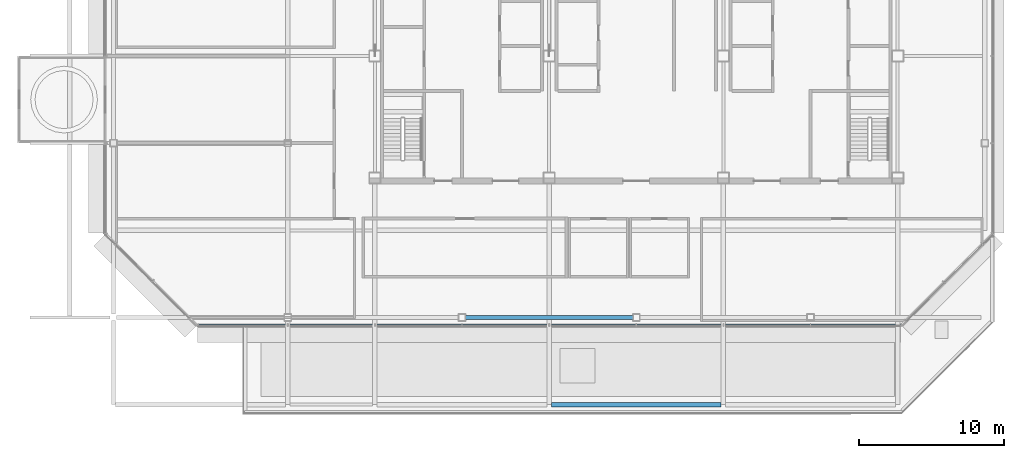
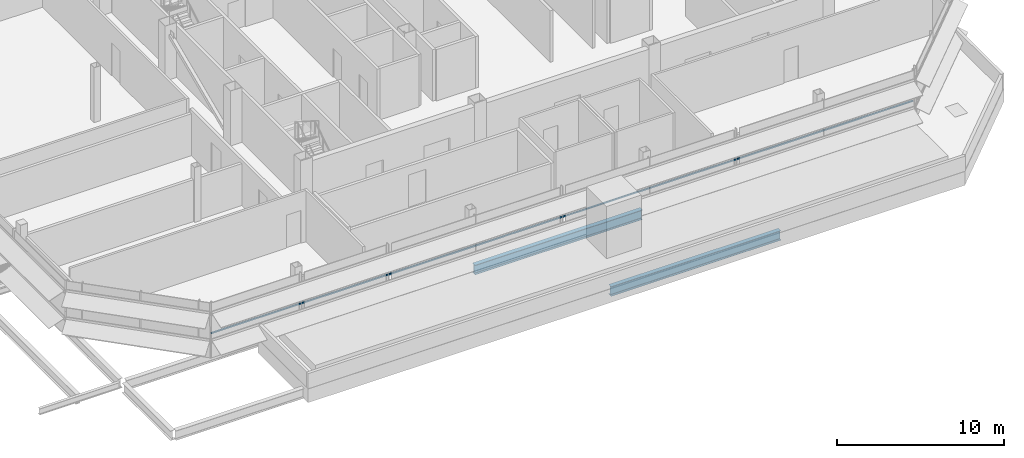
# One storey, part 7 of 26: 2 beams, 1 member, 1 element without a shape of its own.
"""IFC4 building model written with IfcOpenShell, lengths in metres."""

import ifcopenshell
import ifcopenshell.guid

model = None  # the IFC model being written
_history = None  # IfcOwnerHistory: only IFC2X3 demands one
_inside = {}  # id of a spatial element -> (the spatial element, [elements in it])
_under = {}  # id of a project, library or spatial element -> (it, [spatial elements below it])
_declared = {}  # id of a project -> (the project, [libraries it declares])
_typed = {}  # id of a type object -> (the type object, [elements of that type])
_made_of = {}  # id of a material, layer set ... -> (it, [elements and type objects made of it])


def new_model(schema):
    """Start an empty IFC model of exactly this schema.

    Asked for "IFC4X3", IfcOpenShell would pick the latest addendum, in which some entities
    have other attributes; the version numbers below select the first issue.
    IFC2X3 requires an IfcOwnerHistory on every rooted entity: one is made here for all.
    """
    global model, _history
    if schema == "IFC4X3":
        model = ifcopenshell.file(schema_version=(4, 3, 0, 0))
    else:
        model = ifcopenshell.file(schema=schema)
    _inside.clear()
    _under.clear()
    _declared.clear()
    _typed.clear()
    _made_of.clear()
    _history = None
    if model.schema == "IFC2X3":
        org = make("IfcOrganization", Name="unknown")
        user = make(
            "IfcPersonAndOrganization",
            ThePerson=make("IfcPerson", FamilyName="unknown"),
            TheOrganization=org,
        )
        app = make(
            "IfcApplication",
            ApplicationDeveloper=org,
            Version="unknown",
            ApplicationFullName="unknown",
            ApplicationIdentifier="unknown",
        )
        _history = make(
            "IfcOwnerHistory",
            OwningUser=user,
            OwningApplication=app,
            ChangeAction="ADDED",
            CreationDate=0,
        )
    return model


def make(cls, **values):
    """One entity of the class cls with the attributes given. An attribute that is None is left unset."""
    return model.create_entity(
        cls, **{name: value for name, value in values.items() if value is not None}
    )


def rooted(cls, **values):
    """An entity with a GlobalId (a new one), such as an element, a storey or a relation."""
    return make(cls, GlobalId=ifcopenshell.guid.new(), OwnerHistory=_history, **values)


def si_unit(unit_type, name, prefix=None):
    """IfcSIUnit, for example si_unit("LENGTHUNIT", "METRE", prefix="MILLI")."""
    return make("IfcSIUnit", UnitType=unit_type, Prefix=prefix, Name=name)


def assignment(units):
    """IfcUnitAssignment: the units of a project."""
    return None if units is None else make("IfcUnitAssignment", Units=units)


def point(xyz):
    """IfcCartesianPoint."""
    return None if xyz is None else make("IfcCartesianPoint", Coordinates=xyz)


def direction(xyz):
    """IfcDirection."""
    return None if xyz is None else make("IfcDirection", DirectionRatios=xyz)


def frame(location, z_axis=None, x_axis=None):
    """IfcAxis2Placement3D, a coordinate frame: its origin and axes. An axis left out is left unset."""
    return make(
        "IfcAxis2Placement3D",
        Location=point(location),
        Axis=direction(z_axis),
        RefDirection=direction(x_axis),
    )


def frame_2d(location, x_axis=None):
    """IfcAxis2Placement2D, a coordinate frame in the plane: its origin and x axis."""
    return make(
        "IfcAxis2Placement2D", Location=point(location), RefDirection=direction(x_axis)
    )


def origin():
    """The frame at (0, 0, 0) with its axes left unset."""
    return frame((0.0, 0.0, 0.0))


def origin_2d():
    """The frame at (0, 0) in the plane with its x axis left unset."""
    return frame_2d((0.0, 0.0))


def place(relative_to, where):
    """IfcLocalPlacement: puts the frame where relative to a parent placement (None: the world)."""
    return make(
        "IfcLocalPlacement", PlacementRelTo=relative_to, RelativePlacement=where
    )


def context(
    kind, dimensions, precision=None, world=None, true_north=None, identifier=None
):
    """IfcGeometricRepresentationContext, for example the 3D "Model" context."""
    return make(
        "IfcGeometricRepresentationContext",
        ContextIdentifier=identifier,
        ContextType=kind,
        CoordinateSpaceDimension=dimensions,
        Precision=precision,
        WorldCoordinateSystem=world,
        TrueNorth=true_north,
    )


def subcontext(parent, identifier, kind, view, scale=None):
    """IfcGeometricRepresentationSubContext, for example "Body" below "Model"."""
    return make(
        "IfcGeometricRepresentationSubContext",
        ContextIdentifier=identifier,
        ContextType=kind,
        ParentContext=parent,
        TargetScale=scale,
        TargetView=view,
    )


def project(units=None, contexts=None):
    """IfcProject with its units and contexts."""
    return rooted(
        "IfcProject",
        Name="project",
        RepresentationContexts=contexts,
        UnitsInContext=assignment(units),
    )


def spatial(cls, under=None, at=None, **own):
    """A site, building, storey or space (cls), placed at a placement, below another one or the project."""
    s = rooted(cls, ObjectPlacement=at, **own)
    if under is not None:
        _under.setdefault(under.id(), (under, []))[1].append(s)
    return s


def profile(cls, at=None, kind="AREA", **sizes):
    """A parametric profile (cls). Its sizes go by their IFC names, for example OverallWidth=200.0."""
    return make(cls, ProfileType=kind, Position=at, **sizes)


def rectangle(**sizes):
    """IfcRectangleProfileDef."""
    return profile("IfcRectangleProfileDef", **sizes)


def i_section(**sizes):
    """IfcIShapeProfileDef."""
    return profile("IfcIShapeProfileDef", **sizes)


def extrude(swept, where, along, depth):
    """IfcExtrudedAreaSolid: the profile swept, set in the frame where, extruded along a direction by depth."""
    return make(
        "IfcExtrudedAreaSolid",
        SweptArea=swept,
        Position=where,
        ExtrudedDirection=direction(along),
        Depth=depth,
    )


def shape(context_of_items, identifier, shape_type, items):
    """IfcShapeRepresentation: the items that make up one representation, for example the "Body"."""
    return make(
        "IfcShapeRepresentation",
        ContextOfItems=context_of_items,
        RepresentationIdentifier=identifier,
        RepresentationType=shape_type,
        Items=items,
    )


def material(Name=None, Category=None):
    """IfcMaterial."""
    return make("IfcMaterial", Name=Name, Category=Category)


def material_profile(
    of_material, cross_section, Name=None, Category=None, Priority=None
):
    """IfcMaterialProfile: a cross section and its material."""
    return make(
        "IfcMaterialProfile",
        Name=Name,
        Material=of_material,
        Profile=cross_section,
        Priority=Priority,
        Category=Category,
    )


def profile_set(profiles, Name=None, composite=None):
    """IfcMaterialProfileSet."""
    return make(
        "IfcMaterialProfileSet",
        Name=Name,
        MaterialProfiles=profiles,
        CompositeProfile=composite,
    )


def made_of(thing, what):
    """Note that an element or type object is made of a material, layer set ...; save() writes the relation."""
    if what is not None:
        _made_of.setdefault(what.id(), (what, []))[1].append(thing)
    return thing


def type_object(cls, material=None, **own):
    """A type object (cls), such as IfcWallType, which elements share."""
    return made_of(rooted(cls, **own), material)


def element(
    cls,
    number,
    at=None,
    inside=None,
    cuts=None,
    type_object=None,
    material=None,
    context=None,
    identifier="Body",
    shape_type=None,
    held_by="IfcProductDefinitionShape",
    body=None,
    shapes=None,
    **own,
):
    """One element of the class cls, such as IfcWall. Its Tag is "e" and its number.

    at: its placement. inside: the storey or other place that contains it. cuts: it is an
    opening in that element (IfcRelVoidsElement). A single representation is given by context,
    identifier, shape_type and body (its items); several are given by shapes. held_by: the class
    of the entity that holds the representations. save() writes the other relations.
    """
    e = rooted(cls, Tag="e%d" % number, ObjectPlacement=at, **own)
    if body is not None:
        shapes = [shape(context, identifier, shape_type, body)]
    if shapes is not None:
        e.Representation = make(held_by, Representations=shapes)
    if inside is not None:
        _inside.setdefault(inside.id(), (inside, []))[1].append(e)
    if cuts is not None:
        rooted(
            "IfcRelVoidsElement", RelatingBuildingElement=cuts, RelatedOpeningElement=e
        )
    if type_object is not None:
        _typed.setdefault(type_object.id(), (type_object, []))[1].append(e)
    return made_of(e, material)


def aggregate(whole, parts):
    """IfcRelAggregates: a whole, such as a stair, and the parts it consists of."""
    return rooted("IfcRelAggregates", RelatingObject=whole, RelatedObjects=parts)


def save(model, path):
    """Write the relations noted so far, then the file.

    IfcRelAggregates (storeys below a building ...), IfcRelContainedInSpatialStructure (elements
    in a storey), IfcRelDefinesByType, IfcRelAssociatesMaterial and IfcRelDeclares: one each for
    every whole, place, type object, material and project.
    """
    for whole, parts in _under.values():
        aggregate(whole, parts)
    for where, things in _inside.values():
        rooted(
            "IfcRelContainedInSpatialStructure",
            RelatedElements=things,
            RelatingStructure=where,
        )
    for kind, things in _typed.values():
        rooted("IfcRelDefinesByType", RelatedObjects=things, RelatingType=kind)
    for what, things in _made_of.values():
        rooted("IfcRelAssociatesMaterial", RelatedObjects=things, RelatingMaterial=what)
    for by, libraries in _declared.values():
        rooted("IfcRelDeclares", RelatingContext=by, RelatedDefinitions=libraries)
    model.write(path)


model = new_model("IFC4")

# Units and contexts
model_context = context("Model", 3, precision=1e-05, world=origin(), true_north=direction((0.0, 1.0)))
body_context = subcontext(model_context, "Body", "Model", "MODEL_VIEW")
ifc_project = project(units=[si_unit("LENGTHUNIT", "METRE"), si_unit("AREAUNIT", "SQUARE_METRE"), si_unit("VOLUMEUNIT", "CUBIC_METRE"), si_unit("PLANEANGLEUNIT", "RADIAN"), si_unit("MASSUNIT", "GRAM", prefix="KILO")], contexts=[model_context])

# Site, building, storey
site_placement = place(None, origin())
site = spatial("IfcSite", under=ifc_project, at=site_placement, CompositionType="ELEMENT")
building_placement = place(site_placement, origin())
building = spatial("IfcBuilding", under=site, at=building_placement, Name="Sorahane Residences", CompositionType="ELEMENT")
storey_placement = place(building_placement, frame((0.0, 0.0, 337.800048828125)))
storey = spatial("IfcBuildingStorey", under=building, at=storey_placement, Name="L80", CompositionType="ELEMENT", Elevation=337.800048828125)

# Curtain wall, member
ifc_material_1 = material(Name="Dark low-e glass and black anodised aluminium", Category="aluminium")
curtain_wall_type = type_object("IfcCurtainWallType", Name="Curtain wall CW-6 Crown unitised wall", PredefinedType="NOTDEFINED", material=ifc_material_1)
curtain_wall_placement = place(storey_placement, origin())
curtain_wall = element("IfcCurtainWall", 1, at=curtain_wall_placement, inside=storey, type_object=curtain_wall_type, Name="CW-6 curtain wall L80 S1", PredefinedType="NOTDEFINED")
ifc_material_2 = material(Name="Black anodised aluminium", Category="aluminium")
ifc_material_profile_1 = material_profile(ifc_material_2, rectangle(XDim=0.10009765625, YDim=0.06005859375, at=origin_2d()), Name="Curtain wall transom CW-6 black anodised aluminium 60x100")
ifc_profile_set_1 = profile_set([ifc_material_profile_1], Name="Black anodised aluminium")
member_type = type_object("IfcMemberType", Name="Curtain wall transom CW-6 black anodised aluminium 60x100", PredefinedType="USERDEFINED", material=ifc_profile_set_1)
member_placement = place(storey_placement, frame((-6.198486328125, 11.469970703125, 1.5), z_axis=(1.0, 0.0, 0.0), x_axis=(0.0, 1.0, 0.0)))
member = element("IfcMember", 2, at=member_placement, type_object=member_type, Name="CW-6 transom L80 S1", ObjectType="TRANSOM", PredefinedType="USERDEFINED", context=body_context, shape_type="SweptSolid", body=[
    extrude(rectangle(XDim=0.10009765625, YDim=0.06005859375, at=origin_2d()), origin(), (0.0, 0.0, 1.0), 48.39697265625),
])
aggregate(curtain_wall, [member])

# Beams
ifc_material_3 = material(Name="Steel Q355B", Category="steel")
ifc_material_profile_2 = material_profile(ifc_material_3, i_section(OverallWidth=0.300048828125, OverallDepth=0.699951171875, WebThickness=0.012939453125, FlangeThickness=0.02392578125, FilletRadius=0.028076171875, at=origin_2d()), Name="HN 700x300x13x24")
ifc_profile_set_2 = profile_set([ifc_material_profile_2], Name="Steel Q355B")
beam_type = type_object("IfcBeamType", Name="Steel floor beam HN 700x300x13x24 Q355B", PredefinedType="BEAM", material=ifc_profile_set_2)
beam_1_placement = place(storey_placement, frame((12.22509765625, 12.0, -0.60009765625), z_axis=(1.0, 0.0, 0.0), x_axis=(0.0, 1.0, 0.0)))
element("IfcBeam", 3, at=beam_1_placement, inside=storey, type_object=beam_type, Name="Beam L80 003", PredefinedType="BEAM", context=body_context, shape_type="SweptSolid", body=[
    extrude(i_section(OverallWidth=0.300048828125, OverallDepth=0.699951171875, WebThickness=0.012939453125, FlangeThickness=0.02392578125, FilletRadius=0.028076171875, at=origin_2d()), origin(), (0.0, 0.0, 1.0), 11.5498046875),
])
beam_2_placement = place(storey_placement, frame((18.14990234375, 6.0, -0.60009765625), z_axis=(1.0, 0.0, 0.0), x_axis=(0.0, 1.0, 0.0)))
element("IfcBeam", 4, at=beam_2_placement, inside=storey, type_object=beam_type, Name="Beam L80 054", PredefinedType="BEAM", context=body_context, shape_type="SweptSolid", body=[
    extrude(i_section(OverallWidth=0.300048828125, OverallDepth=0.699951171875, WebThickness=0.012939453125, FlangeThickness=0.02392578125, FilletRadius=0.028076171875, at=origin_2d()), origin(), (0.0, 0.0, 1.0), 11.7001953125),
])

save(model, "model.ifc")
